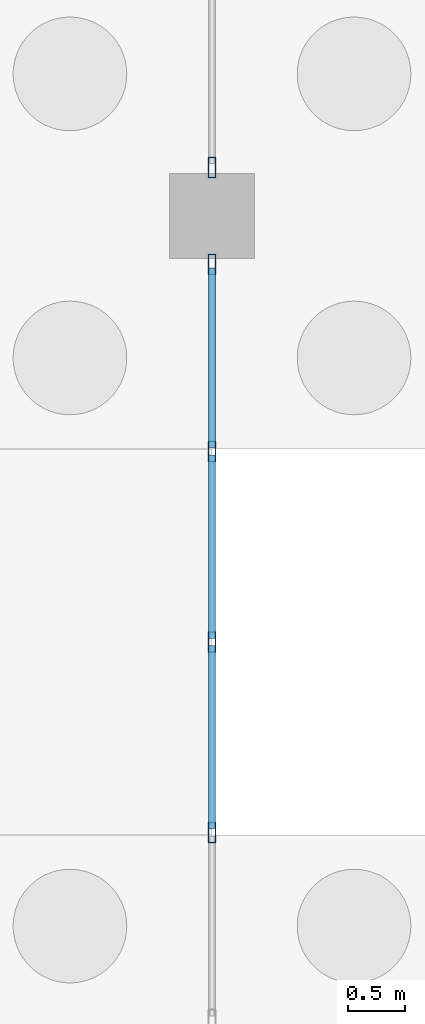
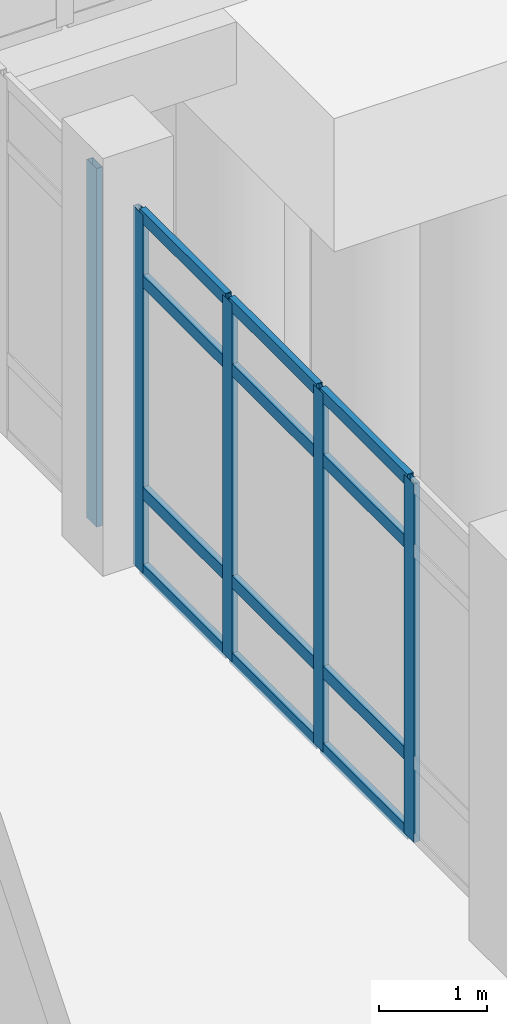
# One storey, part 29 of 173: 17 members, 2 elements without a shape of their own.
"""IFC4 building model written with IfcOpenShell, lengths in metres."""

from ifc_helpers import new_model, si_unit, direction, frame, origin, origin_2d, place, context, subcontext, project, spatial, hollow_rectangle, extrude, material, layer, layer_set, material_profile, profile_set, type_object, element, aggregate, save


model = new_model("IFC4")

# Units and contexts
model_context = context("Model", 3, precision=1e-05, world=origin(), true_north=direction((0.0, 1.0)))
body_context = subcontext(model_context, "Body", "Model", "MODEL_VIEW")
ifc_project = project(units=[si_unit("LENGTHUNIT", "METRE"), si_unit("AREAUNIT", "SQUARE_METRE"), si_unit("VOLUMEUNIT", "CUBIC_METRE"), si_unit("PLANEANGLEUNIT", "RADIAN"), si_unit("MASSUNIT", "GRAM", prefix="KILO")], contexts=[model_context])

# Site, building, storey
site_placement = place(None, origin())
site = spatial("IfcSite", under=ifc_project, at=site_placement, CompositionType="ELEMENT")
building_placement = place(site_placement, origin())
building = spatial("IfcBuilding", under=site, at=building_placement, Name="Mawjan Specialist Oncology Clinic", CompositionType="ELEMENT")
storey_placement = place(building_placement, origin())
storey = spatial("IfcBuildingStorey", under=building, at=storey_placement, Name="L00", CompositionType="ELEMENT", Elevation=0.0)

# Curtain wall, member
ifc_material_1 = material(Name="Unitised spectrally selective aluminium curtain wall", Category="aluminium")
ifc_layer = layer(ifc_material_1, 0.179931640625, Name="Unitised spectrally selective aluminium curtain wall", Category="aluminium")
ifc_layer_set = layer_set([ifc_layer], Name="Unitised spectrally selective aluminium curtain wall")
curtain_wall_type = type_object("IfcCurtainWallType", Name="CW-02", PredefinedType="NOTDEFINED", material=ifc_layer_set)
curtain_wall_1_placement = place(storey_placement, origin())
curtain_wall_1 = element("IfcCurtainWall", 1, at=curtain_wall_1_placement, inside=storey, type_object=curtain_wall_type, Name="L00 Unitised Curtain Wall CW-L00-054", PredefinedType="NOTDEFINED")
ifc_material_2 = material(Name="Thermally broken aluminium 6063-T6", Category="aluminium")
ifc_material_profile_1 = material_profile(ifc_material_2, hollow_rectangle(XDim=0.06494140625, YDim=0.179931640625, WallThickness=0.00390625, at=origin_2d()), Name="ALU MULLION 180x65x4", Category="aluminium")
ifc_profile_set_1 = profile_set([ifc_material_profile_1], Name="Thermally broken aluminium 6063-T6")
member_type_1 = type_object("IfcMemberType", Name="CW-M180", PredefinedType="MULLION", material=ifc_profile_set_1)
member_1_placement = place(storey_placement, frame((15.0, 23.7275390625, 0.0), z_axis=(0.0, 0.0, 1.0), x_axis=(1.0, 0.0, 0.0)))
member_1 = element("IfcMember", 2, at=member_1_placement, type_object=member_type_1, Name="CW-02 mullion 5", PredefinedType="MULLION", context=body_context, shape_type="SweptSolid", body=[
    extrude(hollow_rectangle(XDim=0.06494140625, YDim=0.179931640625, WallThickness=0.00390625, at=origin_2d()), origin(), (0.0, 0.0, 1.0), 4.034912109375),
])
aggregate(curtain_wall_1, [member_1])

# Curtain wall, members
curtain_wall_2_placement = place(storey_placement, origin())
curtain_wall_2 = element("IfcCurtainWall", 3, at=curtain_wall_2_placement, inside=storey, type_object=curtain_wall_type, Name="L00 Unitised Curtain Wall CW-L00-055", PredefinedType="NOTDEFINED")
member_2_placement = place(storey_placement, frame((15.0, 22.87255859375, 0.0), z_axis=(0.0, 0.0, 1.0), x_axis=(1.0, 0.0, 0.0)))
member_2 = element("IfcMember", 4, at=member_2_placement, type_object=member_type_1, Name="CW-02 mullion 1", PredefinedType="MULLION", context=body_context, shape_type="SweptSolid", body=[
    extrude(hollow_rectangle(XDim=0.06494140625, YDim=0.179931640625, WallThickness=0.00390625, at=origin_2d()), origin(), (0.0, 0.0, 1.0), 4.034912109375),
])
member_3_placement = place(storey_placement, frame((15.0, 21.2275390625, 0.0), z_axis=(0.0, 0.0, 1.0), x_axis=(1.0, 0.0, 0.0)))
member_3 = element("IfcMember", 5, at=member_3_placement, type_object=member_type_1, Name="CW-02 mullion 2", PredefinedType="MULLION", context=body_context, shape_type="SweptSolid", body=[
    extrude(hollow_rectangle(XDim=0.06494140625, YDim=0.179931640625, WallThickness=0.00390625, at=origin_2d()), origin(), (0.0, 0.0, 1.0), 4.034912109375),
])
member_4_placement = place(storey_placement, frame((15.0, 19.550048828125, 0.0), z_axis=(0.0, 0.0, 1.0), x_axis=(1.0, 0.0, 0.0)))
member_4 = element("IfcMember", 6, at=member_4_placement, type_object=member_type_1, Name="CW-02 mullion 3", PredefinedType="MULLION", context=body_context, shape_type="SweptSolid", body=[
    extrude(hollow_rectangle(XDim=0.06494140625, YDim=0.179931640625, WallThickness=0.00390625, at=origin_2d()), origin(), (0.0, 0.0, 1.0), 4.034912109375),
])
member_5_placement = place(storey_placement, frame((15.0, 17.87255859375, 0.0), z_axis=(0.0, 0.0, 1.0), x_axis=(1.0, 0.0, 0.0)))
member_5 = element("IfcMember", 7, at=member_5_placement, type_object=member_type_1, Name="CW-02 mullion 4", PredefinedType="MULLION", context=body_context, shape_type="SweptSolid", body=[
    extrude(hollow_rectangle(XDim=0.06494140625, YDim=0.179931640625, WallThickness=0.00390625, at=origin_2d()), origin(), (0.0, 0.0, 1.0), 4.034912109375),
])
ifc_material_3 = material(Name="Thermally broken aluminium 6063-T6", Category="aluminium")
ifc_material_profile_2 = material_profile(ifc_material_3, hollow_rectangle(XDim=0.06494140625, YDim=0.139892578125, WallThickness=0.00390625, at=origin_2d()), Name="ALU TRANSOM 140x65x4", Category="aluminium")
ifc_profile_set_2 = profile_set([ifc_material_profile_2], Name="Thermally broken aluminium 6063-T6")
member_type_2 = type_object("IfcMemberType", Name="CW-T140", PredefinedType="USERDEFINED", material=ifc_profile_set_2)
member_6_placement = place(storey_placement, frame((15.0, 22.840087890625, 0.032470703125), z_axis=(0.0, -1.0, 0.0), x_axis=(1.0, 0.0, 0.0)))
member_6 = element("IfcMember", 8, at=member_6_placement, type_object=member_type_2, Name="CW-02 transom 1.1", ObjectType="TRANSOM", PredefinedType="USERDEFINED", context=body_context, shape_type="SweptSolid", body=[
    extrude(hollow_rectangle(XDim=0.06494140625, YDim=0.139892578125, WallThickness=0.00390625, at=origin_2d()), origin(), (0.0, 0.0, 1.0), 1.580078125),
])
member_7_placement = place(storey_placement, frame((15.0, 22.840087890625, 0.89990234375), z_axis=(0.0, -1.0, 0.0), x_axis=(1.0, 0.0, 0.0)))
member_7 = element("IfcMember", 9, at=member_7_placement, type_object=member_type_2, Name="CW-02 transom 1.2", ObjectType="TRANSOM", PredefinedType="USERDEFINED", context=body_context, shape_type="SweptSolid", body=[
    extrude(hollow_rectangle(XDim=0.06494140625, YDim=0.139892578125, WallThickness=0.00390625, at=origin_2d()), origin(), (0.0, 0.0, 1.0), 1.580078125),
])
member_8_placement = place(storey_placement, frame((15.0, 22.840087890625, 3.284912109375), z_axis=(0.0, -1.0, 0.0), x_axis=(1.0, 0.0, 0.0)))
member_8 = element("IfcMember", 10, at=member_8_placement, type_object=member_type_2, Name="CW-02 transom 1.3", ObjectType="TRANSOM", PredefinedType="USERDEFINED", context=body_context, shape_type="SweptSolid", body=[
    extrude(hollow_rectangle(XDim=0.06494140625, YDim=0.139892578125, WallThickness=0.00390625, at=origin_2d()), origin(), (0.0, 0.0, 1.0), 1.580078125),
])
member_9_placement = place(storey_placement, frame((15.0, 22.840087890625, 4.00244140625), z_axis=(0.0, -1.0, 0.0), x_axis=(1.0, 0.0, 0.0)))
member_9 = element("IfcMember", 11, at=member_9_placement, type_object=member_type_2, Name="CW-02 transom 1.4", ObjectType="TRANSOM", PredefinedType="USERDEFINED", context=body_context, shape_type="SweptSolid", body=[
    extrude(hollow_rectangle(XDim=0.06494140625, YDim=0.139892578125, WallThickness=0.00390625, at=origin_2d()), origin(), (0.0, 0.0, 1.0), 1.580078125),
])
member_10_placement = place(storey_placement, frame((15.0, 21.195068359375, 0.032470703125), z_axis=(0.0, -1.0, 0.0), x_axis=(1.0, 0.0, 0.0)))
member_10 = element("IfcMember", 12, at=member_10_placement, type_object=member_type_2, Name="CW-02 transom 2.1", ObjectType="TRANSOM", PredefinedType="USERDEFINED", context=body_context, shape_type="SweptSolid", body=[
    extrude(hollow_rectangle(XDim=0.06494140625, YDim=0.139892578125, WallThickness=0.00390625, at=origin_2d()), origin(), (0.0, 0.0, 1.0), 1.612548828125),
])
member_11_placement = place(storey_placement, frame((15.0, 21.195068359375, 0.89990234375), z_axis=(0.0, -1.0, 0.0), x_axis=(1.0, 0.0, 0.0)))
member_11 = element("IfcMember", 13, at=member_11_placement, type_object=member_type_2, Name="CW-02 transom 2.2", ObjectType="TRANSOM", PredefinedType="USERDEFINED", context=body_context, shape_type="SweptSolid", body=[
    extrude(hollow_rectangle(XDim=0.06494140625, YDim=0.139892578125, WallThickness=0.00390625, at=origin_2d()), origin(), (0.0, 0.0, 1.0), 1.612548828125),
])
member_12_placement = place(storey_placement, frame((15.0, 21.195068359375, 3.284912109375), z_axis=(0.0, -1.0, 0.0), x_axis=(1.0, 0.0, 0.0)))
member_12 = element("IfcMember", 14, at=member_12_placement, type_object=member_type_2, Name="CW-02 transom 2.3", ObjectType="TRANSOM", PredefinedType="USERDEFINED", context=body_context, shape_type="SweptSolid", body=[
    extrude(hollow_rectangle(XDim=0.06494140625, YDim=0.139892578125, WallThickness=0.00390625, at=origin_2d()), origin(), (0.0, 0.0, 1.0), 1.612548828125),
])
member_13_placement = place(storey_placement, frame((15.0, 21.195068359375, 4.00244140625), z_axis=(0.0, -1.0, 0.0), x_axis=(1.0, 0.0, 0.0)))
member_13 = element("IfcMember", 15, at=member_13_placement, type_object=member_type_2, Name="CW-02 transom 2.4", ObjectType="TRANSOM", PredefinedType="USERDEFINED", context=body_context, shape_type="SweptSolid", body=[
    extrude(hollow_rectangle(XDim=0.06494140625, YDim=0.139892578125, WallThickness=0.00390625, at=origin_2d()), origin(), (0.0, 0.0, 1.0), 1.612548828125),
])
member_14_placement = place(storey_placement, frame((15.0, 19.517578125, 0.032470703125), z_axis=(0.0, -1.0, 0.0), x_axis=(1.0, 0.0, 0.0)))
member_14 = element("IfcMember", 16, at=member_14_placement, type_object=member_type_2, Name="CW-02 transom 3.1", ObjectType="TRANSOM", PredefinedType="USERDEFINED", context=body_context, shape_type="SweptSolid", body=[
    extrude(hollow_rectangle(XDim=0.06494140625, YDim=0.139892578125, WallThickness=0.00390625, at=origin_2d()), origin(), (0.0, 0.0, 1.0), 1.612548828125),
])
member_15_placement = place(storey_placement, frame((15.0, 19.517578125, 0.89990234375), z_axis=(0.0, -1.0, 0.0), x_axis=(1.0, 0.0, 0.0)))
member_15 = element("IfcMember", 17, at=member_15_placement, type_object=member_type_2, Name="CW-02 transom 3.2", ObjectType="TRANSOM", PredefinedType="USERDEFINED", context=body_context, shape_type="SweptSolid", body=[
    extrude(hollow_rectangle(XDim=0.06494140625, YDim=0.139892578125, WallThickness=0.00390625, at=origin_2d()), origin(), (0.0, 0.0, 1.0), 1.612548828125),
])
member_16_placement = place(storey_placement, frame((15.0, 19.517578125, 3.284912109375), z_axis=(0.0, -1.0, 0.0), x_axis=(1.0, 0.0, 0.0)))
member_16 = element("IfcMember", 18, at=member_16_placement, type_object=member_type_2, Name="CW-02 transom 3.3", ObjectType="TRANSOM", PredefinedType="USERDEFINED", context=body_context, shape_type="SweptSolid", body=[
    extrude(hollow_rectangle(XDim=0.06494140625, YDim=0.139892578125, WallThickness=0.00390625, at=origin_2d()), origin(), (0.0, 0.0, 1.0), 1.612548828125),
])
member_17_placement = place(storey_placement, frame((15.0, 19.517578125, 4.00244140625), z_axis=(0.0, -1.0, 0.0), x_axis=(1.0, 0.0, 0.0)))
member_17 = element("IfcMember", 19, at=member_17_placement, type_object=member_type_2, Name="CW-02 transom 3.4", ObjectType="TRANSOM", PredefinedType="USERDEFINED", context=body_context, shape_type="SweptSolid", body=[
    extrude(hollow_rectangle(XDim=0.06494140625, YDim=0.139892578125, WallThickness=0.00390625, at=origin_2d()), origin(), (0.0, 0.0, 1.0), 1.612548828125),
])
aggregate(curtain_wall_2, [member_2, member_3, member_4, member_5, member_6, member_7, member_8, member_9, member_10, member_11, member_12, member_13, member_14, member_15, member_16, member_17])

save(model, "model.ifc")
